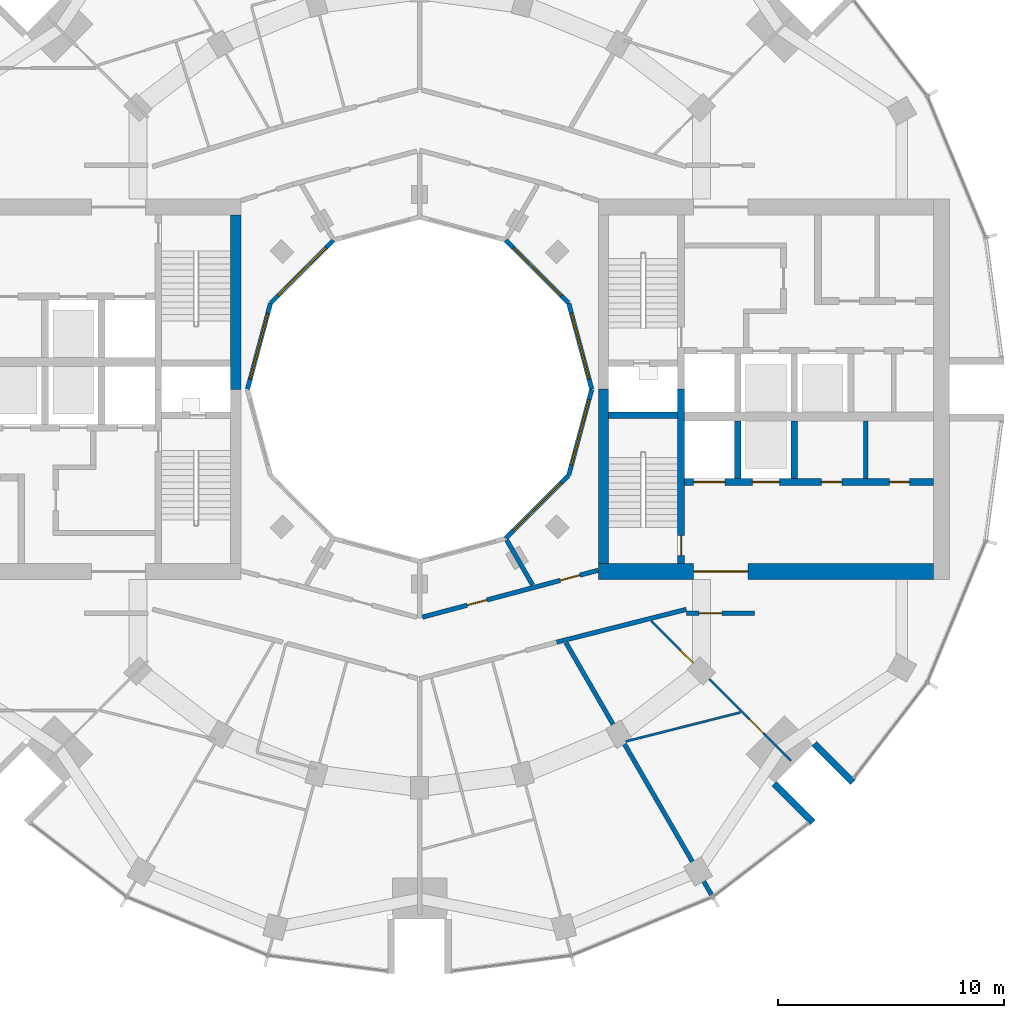
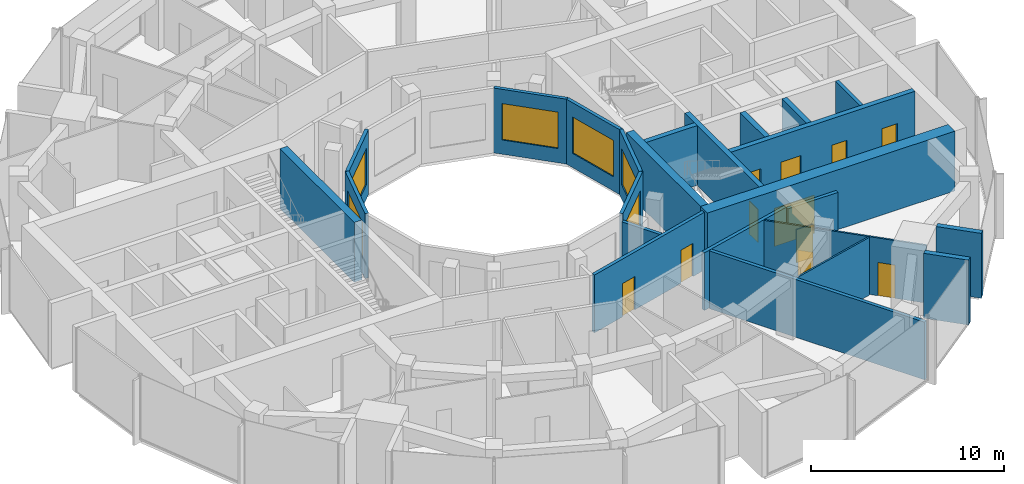
# One storey, part 10 of 15: 24 walls, 11 doors, 6 windows, 17 openings.
"""IFC4 building model written with IfcOpenShell, lengths in metres."""

from ifc_helpers import new_model, si_unit, direction, frame, frame_2d, origin, place, context, subcontext, project, spatial, rectangle, extrude, material, layer, layer_set, type_object, element, fill, save


model = new_model("IFC4")

# Units and contexts
model_context = context("Model", 3, precision=1e-05, world=origin(), true_north=direction((0.0, 1.0)))
body_context = subcontext(model_context, "Body", "Model", "MODEL_VIEW")
ifc_project = project(units=[si_unit("LENGTHUNIT", "METRE"), si_unit("AREAUNIT", "SQUARE_METRE"), si_unit("VOLUMEUNIT", "CUBIC_METRE"), si_unit("PLANEANGLEUNIT", "RADIAN"), si_unit("MASSUNIT", "GRAM", prefix="KILO")], contexts=[model_context])

# Site, building, storey
site_placement = place(None, origin())
site = spatial("IfcSite", under=ifc_project, at=site_placement, CompositionType="ELEMENT")
building_placement = place(site_placement, origin())
building = spatial("IfcBuilding", under=site, at=building_placement, Name="Torre Brocal", CompositionType="ELEMENT")
storey_placement = place(building_placement, frame((0.0, 0.0, 165.89990234375)))
storey = spatial("IfcBuildingStorey", under=building, at=storey_placement, Name="L38", CompositionType="ELEMENT", Elevation=165.89990234375)

# Wall
ifc_material_1 = material(Name="Masonry block", Category="masonry")
ifc_layer_1 = layer(ifc_material_1, 0.199951171875)
ifc_layer_set_1 = layer_set([ifc_layer_1], Name="Masonry block")
wall_type_1 = type_object("IfcWallType", Name="CORE PARTITION 200", PredefinedType="PARTITIONING", material=ifc_layer_set_1)
wall_1_placement = place(storey_placement, frame((99.699951171875, 71.050048828125, 0.0), z_axis=(0.0, 0.0, 1.0), x_axis=(0.0, 1.0, 0.0)))
element("IfcWall", 1, at=wall_1_placement, inside=storey, type_object=wall_type_1, Name="Wall CP200", PredefinedType="PARTITIONING", context=body_context, shape_type="SweptSolid", body=[
    extrude(rectangle(XDim=2.550048828125, YDim=0.199951171875, at=frame_2d((1.27490234375, 0.0))), origin(), (0.0, 0.0, 1.0), 3.780029296875),
])

# Wall, opening, door
ifc_material_2 = material(Name="Concrete C70", Category="concrete")
ifc_layer_2 = layer(ifc_material_2, 0.300048828125)
ifc_layer_set_2 = layer_set([ifc_layer_2], Name="Concrete C70")
wall_type_2 = type_object("IfcWallType", Name="CORE WALL 300 C70", PredefinedType="SHEAR", material=ifc_layer_set_2)
wall_2_placement = place(storey_placement, frame((91.550048828125, 67.300048828125, 0.0), z_axis=(0.0, 0.0, 1.0), x_axis=(0.0, 1.0, 0.0)))
wall_2 = element("IfcWall", 2, at=wall_2_placement, inside=storey, type_object=wall_type_2, Name="Wall CW300-70", PredefinedType="SHEAR", context=body_context, shape_type="SweptSolid", body=[
    extrude(rectangle(XDim=7.699951171875, YDim=0.300048828125, at=frame_2d((3.85009765625, 0.0))), origin(), (0.0, 0.0, 1.0), 3.780029296875),
])
opening_1_placement = place(wall_2_placement, frame((0.35009765625, 0.0, 0.0)))
opening_1 = element("IfcOpeningElement", 3, at=opening_1_placement, cuts=wall_2, Name="Opening E-D03", PredefinedType="OPENING", context=body_context, shape_type="SweptSolid", body=[
    extrude(rectangle(XDim=0.89990234375, YDim=2.10009765625, at=frame_2d((0.449951171875, 1.050048828125))), frame((0.0, 0.159912109375, 0.0), z_axis=(0.0, -1.0, 0.0), x_axis=(1.0, 0.0, 0.0)), (0.0, 0.0, 1.0), 0.320068359375),
])
ifc_material_3 = material(Name="Steel A653", Category="steel")
door_type_1 = type_object("IfcDoorType", Name="STAIR DOOR FD120 900X2100", OperationType="SINGLE_SWING_RIGHT", PredefinedType="DOOR", material=ifc_material_3)
door_1_placement = place(opening_1_placement, origin())
door_1 = element("IfcDoor", 4, at=door_1_placement, inside=storey, type_object=door_type_1, Name="Door E-D03", OperationType="SINGLE_SWING_LEFT", OverallHeight=2.10009765625, OverallWidth=0.89990234375, PredefinedType="DOOR", context=body_context, shape_type="SweptSolid", body=[
    extrude(rectangle(XDim=0.89990234375, YDim=2.10009765625, at=frame_2d((0.449951171875, 1.050048828125))), frame((0.0, 0.02490234375, 0.0), z_axis=(0.0, -1.0, 0.0), x_axis=(1.0, 0.0, 0.0)), (0.0, 0.0, 1.0), 0.050048828125),
])
fill(opening_1, door_1)

# Wall
wall_3_placement = place(storey_placement, frame((88.35009765625, 73.85009765625, 0.0), z_axis=(0.0, 0.0, 1.0), x_axis=(1.0, 0.0, 0.0)))
element("IfcWall", 5, at=wall_3_placement, inside=storey, type_object=wall_type_2, Name="Wall CW300-70", PredefinedType="SHEAR", context=body_context, shape_type="SweptSolid", body=[
    extrude(rectangle(XDim=3.0498046875, YDim=0.300048828125, at=frame_2d((1.52490234375, 0.0))), origin(), (0.0, 0.0, 1.0), 3.780029296875),
])

# Wall, openings, doors
wall_4_placement = place(storey_placement, frame((91.699951171875, 70.89990234375, 0.0), z_axis=(0.0, 0.0, 1.0), x_axis=(1.0, 0.0, 0.0)))
wall_4 = element("IfcWall", 6, at=wall_4_placement, inside=storey, type_object=wall_type_2, Name="Wall CW300-70", PredefinedType="SHEAR", context=body_context, shape_type="SweptSolid", body=[
    extrude(rectangle(XDim=11.0, YDim=0.300048828125, at=frame_2d((5.5, 0.0))), origin(), (0.0, 0.0, 1.0), 3.780029296875),
])
opening_2_placement = place(wall_4_placement, frame((0.39990234375, 0.0, 0.0)))
opening_2 = element("IfcOpeningElement", 7, at=opening_2_placement, cuts=wall_4, Name="Opening LD14", PredefinedType="OPENING", context=body_context, shape_type="SweptSolid", body=[
    extrude(rectangle(XDim=1.39990234375, YDim=2.10009765625, at=frame_2d((0.699951171875, 1.050048828125))), frame((0.0, 0.159912109375, 0.0), z_axis=(0.0, -1.0, 0.0), x_axis=(1.0, 0.0, 0.0)), (0.0, 0.0, 1.0), 0.320068359375),
])
opening_3_placement = place(wall_4_placement, frame((3.0, 0.0, 0.0)))
opening_3 = element("IfcOpeningElement", 8, at=opening_3_placement, cuts=wall_4, Name="Opening LD12", PredefinedType="OPENING", context=body_context, shape_type="SweptSolid", body=[
    extrude(rectangle(XDim=1.199951171875, YDim=2.10009765625, at=frame_2d((0.60009765625, 1.050048828125))), frame((0.0, 0.159912109375, 0.0), z_axis=(0.0, -1.0, 0.0), x_axis=(1.0, 0.0, 0.0)), (0.0, 0.0, 1.0), 0.320068359375),
])
opening_4_placement = place(wall_4_placement, frame((6.050048828125, 0.0, 0.0)))
opening_4 = element("IfcOpeningElement", 9, at=opening_4_placement, cuts=wall_4, Name="Opening E-D06", PredefinedType="OPENING", context=body_context, shape_type="SweptSolid", body=[
    extrude(rectangle(XDim=0.89990234375, YDim=2.10009765625, at=frame_2d((0.449951171875, 1.050048828125))), frame((0.0, 0.159912109375, 0.0), z_axis=(0.0, -1.0, 0.0), x_axis=(1.0, 0.0, 0.0)), (0.0, 0.0, 1.0), 0.320068359375),
])
opening_5_placement = place(wall_4_placement, frame((9.050048828125, 0.0, 0.0)))
opening_5 = element("IfcOpeningElement", 10, at=opening_5_placement, cuts=wall_4, Name="Opening E-D07", PredefinedType="OPENING", context=body_context, shape_type="SweptSolid", body=[
    extrude(rectangle(XDim=0.89990234375, YDim=2.10009765625, at=frame_2d((0.449951171875, 1.050048828125))), frame((0.0, 0.159912109375, 0.0), z_axis=(0.0, -1.0, 0.0), x_axis=(1.0, 0.0, 0.0)), (0.0, 0.0, 1.0), 0.320068359375),
])
ifc_material_4 = material(Name="Stainless steel AISI 316", Category="steel")
door_type_2 = type_object("IfcDoorType", Name="LIFT LANDING DOOR 1200X2100", OperationType="DOUBLE_DOOR_SLIDING", PredefinedType="DOOR", material=ifc_material_4)
door_2_placement = place(opening_3_placement, origin())
door_2 = element("IfcDoor", 11, at=door_2_placement, inside=storey, type_object=door_type_2, Name="Door LD12", OperationType="DOUBLE_DOOR_SLIDING", OverallHeight=2.10009765625, OverallWidth=1.199951171875, PredefinedType="DOOR", context=body_context, shape_type="SweptSolid", body=[
    extrude(rectangle(XDim=1.199951171875, YDim=2.10009765625, at=frame_2d((0.60009765625, 1.050048828125))), frame((0.0, 0.02490234375, 0.0), z_axis=(0.0, -1.0, 0.0), x_axis=(1.0, 0.0, 0.0)), (0.0, 0.0, 1.0), 0.050048828125),
])
fill(opening_3, door_2)
ifc_material_5 = material(Name="Stainless steel AISI 316", Category="steel")
door_type_3 = type_object("IfcDoorType", Name="LIFT LANDING DOOR 1400X2100", OperationType="DOUBLE_DOOR_SLIDING", PredefinedType="DOOR", material=ifc_material_5)
door_3_placement = place(opening_2_placement, origin())
door_3 = element("IfcDoor", 12, at=door_3_placement, inside=storey, type_object=door_type_3, Name="Door LD14", OperationType="DOUBLE_DOOR_SLIDING", OverallHeight=2.10009765625, OverallWidth=1.39990234375, PredefinedType="DOOR", context=body_context, shape_type="SweptSolid", body=[
    extrude(rectangle(XDim=1.39990234375, YDim=2.10009765625, at=frame_2d((0.699951171875, 1.050048828125))), frame((0.0, 0.02490234375, 0.0), z_axis=(0.0, -1.0, 0.0), x_axis=(1.0, 0.0, 0.0)), (0.0, 0.0, 1.0), 0.050048828125),
])
fill(opening_2, door_3)
ifc_material_6 = material(Name="Steel A653", Category="steel")
door_type_4 = type_object("IfcDoorType", Name="ROOM DOOR FD30S 900X2100", OperationType="SINGLE_SWING_LEFT", PredefinedType="DOOR", material=ifc_material_6)
door_4_placement = place(opening_4_placement, origin())
door_4 = element("IfcDoor", 13, at=door_4_placement, inside=storey, type_object=door_type_4, Name="Door E-D06", OperationType="SINGLE_SWING_RIGHT", OverallHeight=2.10009765625, OverallWidth=0.89990234375, PredefinedType="DOOR", context=body_context, shape_type="SweptSolid", body=[
    extrude(rectangle(XDim=0.89990234375, YDim=2.10009765625, at=frame_2d((0.449951171875, 1.050048828125))), frame((0.0, 0.02490234375, 0.0), z_axis=(0.0, -1.0, 0.0), x_axis=(1.0, 0.0, 0.0)), (0.0, 0.0, 1.0), 0.050048828125),
])
fill(opening_4, door_4)
door_5_placement = place(opening_5_placement, origin())
door_5 = element("IfcDoor", 14, at=door_5_placement, inside=storey, type_object=door_type_4, Name="Door E-D07", OperationType="SINGLE_SWING_LEFT", OverallHeight=2.10009765625, OverallWidth=0.89990234375, PredefinedType="DOOR", context=body_context, shape_type="SweptSolid", body=[
    extrude(rectangle(XDim=0.89990234375, YDim=2.10009765625, at=frame_2d((0.449951171875, 1.050048828125))), frame((0.0, 0.02490234375, 0.0), z_axis=(0.0, -1.0, 0.0), x_axis=(1.0, 0.0, 0.0)), (0.0, 0.0, 1.0), 0.050048828125),
])
fill(opening_5, door_5)

# Walls
for number, where, z_axis, x_axis, name in (
    (15, (94.050048828125, 71.050048828125, 0.0), (0.0, 0.0, 1.0), (0.0, 1.0, 0.0), "Wall CW300-70"),
    (16, (96.550048828125, 71.050048828125, 0.0), (0.0, 0.0, 1.0), (0.0, 1.0, 0.0), "Wall CW300-70"),
):
    element("IfcWall", number, at=place(storey_placement, frame(where, z_axis=z_axis, x_axis=x_axis)), inside=storey, type_object=wall_type_2, Name=name, PredefinedType="SHEAR", context=body_context, shape_type="SweptSolid", body=[
        extrude(rectangle(XDim=2.550048828125, YDim=0.300048828125, at=frame_2d((1.27490234375, 0.0))), origin(), (0.0, 0.0, 1.0), 3.780029296875),
    ])
ifc_material_7 = material(Name="Concrete C70", Category="concrete")
ifc_layer_3 = layer(ifc_material_7, 0.449951171875)
ifc_layer_set_3 = layer_set([ifc_layer_3], Name="Concrete C70")
wall_type_3 = type_object("IfcWallType", Name="CORE WALL 450 C70", PredefinedType="SHEAR", material=ifc_layer_set_3)
for number, where, z_axis, x_axis, name in (
    (17, (88.125, 67.300048828125, 0.0), (0.0, 0.0, 1.0), (0.0, 1.0, 0.0), "Wall CW450-70"),
    (18, (71.875, 82.699951171875, 0.0), (0.0, 0.0, 1.0), (0.0, -1.0, 0.0), "Wall CW450-70"),
):
    element("IfcWall", number, at=place(storey_placement, frame(where, z_axis=z_axis, x_axis=x_axis)), inside=storey, type_object=wall_type_3, Name=name, PredefinedType="SHEAR", context=body_context, shape_type="SweptSolid", body=[
        extrude(rectangle(XDim=7.699951171875, YDim=0.449951171875, at=frame_2d((3.85009765625, 0.0))), origin(), (0.0, 0.0, 1.0), 3.780029296875),
    ])

# Wall, opening, door
ifc_material_8 = material(Name="Concrete C70", Category="concrete")
ifc_layer_4 = layer(ifc_material_8, 0.699951171875)
ifc_layer_set_4 = layer_set([ifc_layer_4], Name="Concrete C70")
wall_type_4 = type_object("IfcWallType", Name="CORE WALL 700 C70", PredefinedType="SHEAR", material=ifc_layer_set_4)
wall_5_placement = place(storey_placement, frame((87.89990234375, 66.949951171875, 0.0), z_axis=(0.0, 0.0, 1.0), x_axis=(1.0, 0.0, 0.0)))
wall_5 = element("IfcWall", 19, at=wall_5_placement, inside=storey, type_object=wall_type_4, Name="Wall CW700-70", PredefinedType="SHEAR", context=body_context, shape_type="SweptSolid", body=[
    extrude(rectangle(XDim=14.800048828125, YDim=0.699951171875, at=frame_2d((7.39990234375, 0.0))), origin(), (0.0, 0.0, 1.0), 3.780029296875),
])
opening_6_placement = place(wall_5_placement, frame((4.199951171875, 0.0, 0.0)))
opening_6 = element("IfcOpeningElement", 20, at=opening_6_placement, cuts=wall_5, Name="Opening E-D12", PredefinedType="OPENING", context=body_context, shape_type="SweptSolid", body=[
    extrude(rectangle(XDim=2.39990234375, YDim=2.39990234375, at=frame_2d((1.199951171875, 1.199951171875))), frame((0.0, 0.35986328125, 0.0), z_axis=(0.0, -1.0, 0.0), x_axis=(1.0, 0.0, 0.0)), (0.0, 0.0, 1.0), 0.719970703125),
])
ifc_material_9 = material(Name="Steel A653", Category="steel")
door_type_5 = type_object("IfcDoorType", Name="DOUBLE FIRE DOOR FD90 2400X2400", OperationType="DOUBLE_DOOR_SINGLE_SWING", PredefinedType="DOOR", material=ifc_material_9)
door_6_placement = place(opening_6_placement, origin())
door_6 = element("IfcDoor", 21, at=door_6_placement, inside=storey, type_object=door_type_5, Name="Door E-D12", OperationType="DOUBLE_DOOR_SINGLE_SWING", OverallHeight=2.39990234375, OverallWidth=2.39990234375, PredefinedType="DOOR", context=body_context, shape_type="SweptSolid", body=[
    extrude(rectangle(XDim=2.39990234375, YDim=2.39990234375, at=frame_2d((1.199951171875, 1.199951171875))), frame((0.0, 0.02490234375, 0.0), z_axis=(0.0, -1.0, 0.0), x_axis=(1.0, 0.0, 0.0)), (0.0, 0.0, 1.0), 0.050048828125),
])
fill(opening_6, door_6)

# Walls
ifc_material_10 = material(Name="Concrete C70", Category="concrete")
ifc_layer_5 = layer(ifc_material_10, 0.300048828125)
ifc_layer_set_5 = layer_set([ifc_layer_5], Name="Concrete C70")
wall_type_5 = type_object("IfcWallType", Name="NOTCH RETURN WALL 300 C70", PredefinedType="NOTDEFINED", material=ifc_layer_set_5)
for number, where, z_axis, x_axis, name in (
    (22, (95.662353515625, 57.56982421875, 0.0), (0.0, 0.0, 1.0), (0.707106781187, -0.707106781187, 0.0), "NOTCH RETURN WALL"),
    (23, (97.43017578125, 59.337646484375, 0.0), (0.0, 0.0, 1.0), (0.707106781187, -0.707106781187, 0.0), "NOTCH RETURN WALL"),
):
    element("IfcWall", number, at=place(storey_placement, frame(where, z_axis=z_axis, x_axis=x_axis)), inside=storey, type_object=wall_type_5, Name=name, PredefinedType="NOTDEFINED", context=body_context, shape_type="SweptSolid", body=[
        extrude(rectangle(XDim=2.415771484375, YDim=0.300048828125, at=frame_2d((1.2080078125, 0.0))), origin(), (0.0, 0.0, 1.0), 4.10009765625),
    ])
ifc_material_11 = material(Name="Gypsum board", Category="Gypsum")
ifc_layer_6 = layer(ifc_material_11, 0.10009765625)
ifc_layer_set_6 = layer_set([ifc_layer_6], Name="Gypsum board")
wall_type_6 = type_object("IfcWallType", Name="PARTITION 100", PredefinedType="PARTITIONING", material=ifc_layer_set_6)
wall_6_placement = place(storey_placement, frame((89.105712890625, 59.44091796875, 0.0), z_axis=(0.0, 0.0, 1.0), x_axis=(0.969462385749, 0.245240051009, 0.0)))
element("IfcWall", 24, at=wall_6_placement, inside=storey, type_object=wall_type_6, Name="BATHROOM WALL", PredefinedType="PARTITIONING", context=body_context, shape_type="SweptSolid", body=[
    extrude(rectangle(XDim=5.223388671875, YDim=0.10009765625, at=frame_2d((2.61181640625, 0.0))), origin(), (0.0, 0.0, 1.0), 3.650146484375),
])

# Wall, openings, doors
wall_7_placement = place(storey_placement, frame((90.23583984375, 64.7578125, 0.0), z_axis=(0.0, 0.0, 1.0), x_axis=(0.706938769128, -0.707274753334, 0.0)))
wall_7 = element("IfcWall", 25, at=wall_7_placement, inside=storey, type_object=wall_type_6, Name="BATHROOM WALL", PredefinedType="PARTITIONING", context=body_context, shape_type="SweptSolid", body=[
    extrude(rectangle(XDim=8.7197265625, YDim=0.10009765625, at=frame_2d((4.35986328125, 0.0))), origin(), (0.0, 0.0, 1.0), 3.650146484375),
])
opening_7_placement = place(wall_7_placement, frame((6.114501953125, 0.0, 0.0)))
opening_7 = element("IfcOpeningElement", 26, at=opening_7_placement, cuts=wall_7, Name="Opening R01-D20", PredefinedType="OPENING", context=body_context, shape_type="SweptSolid", body=[
    extrude(rectangle(XDim=0.89990234375, YDim=2.10009765625, at=frame_2d((0.449951171875, 1.050048828125))), frame((0.0, 0.06005859375, 0.0), z_axis=(0.0, -1.0, 0.0), x_axis=(1.0, 0.0, 0.0)), (0.0, 0.0, 1.0), 0.1201171875),
])
opening_8_placement = place(wall_7_placement, frame((1.817138671875, 0.0, 0.0)))
opening_8 = element("IfcOpeningElement", 27, at=opening_8_placement, cuts=wall_7, Name="Opening R01-D21", PredefinedType="OPENING", context=body_context, shape_type="SweptSolid", body=[
    extrude(rectangle(XDim=0.800048828125, YDim=2.10009765625, at=frame_2d((0.39990234375, 1.050048828125))), frame((0.0, 0.06005859375, 0.0), z_axis=(0.0, -1.0, 0.0), x_axis=(1.0, 0.0, 0.0)), (0.0, 0.0, 1.0), 0.1201171875),
])
ifc_material_12 = material(Name="Timber", Category="wood")
door_type_6 = type_object("IfcDoorType", Name="BATHROOM DOOR 800X2100", OperationType="SINGLE_SWING_LEFT", PredefinedType="DOOR", material=ifc_material_12)
door_7_placement = place(opening_8_placement, frame((0.800048828125, 0.0, 0.0), z_axis=(0.0, 0.0, 1.0), x_axis=(-1.0, 0.0, 0.0)))
door_7 = element("IfcDoor", 28, at=door_7_placement, inside=storey, type_object=door_type_6, Name="R01-D21", OperationType="SINGLE_SWING_RIGHT", OverallHeight=2.10009765625, OverallWidth=0.800048828125, PredefinedType="DOOR", context=body_context, shape_type="SweptSolid", body=[
    extrude(rectangle(XDim=0.800048828125, YDim=2.10009765625, at=frame_2d((0.39990234375, 1.050048828125))), frame((0.0, 0.02490234375, 0.0), z_axis=(0.0, -1.0, 0.0), x_axis=(1.0, 0.0, 0.0)), (0.0, 0.0, 1.0), 0.050048828125),
])
fill(opening_8, door_7)
ifc_material_13 = material(Name="Timber", Category="wood")
door_type_7 = type_object("IfcDoorType", Name="ROOM DOOR 900X2100", OperationType="SINGLE_SWING_LEFT", PredefinedType="DOOR", material=ifc_material_13)
door_8_placement = place(opening_7_placement, origin())
door_8 = element("IfcDoor", 29, at=door_8_placement, inside=storey, type_object=door_type_7, Name="R01-D20", OperationType="SINGLE_SWING_LEFT", OverallHeight=2.10009765625, OverallWidth=0.89990234375, PredefinedType="DOOR", context=body_context, shape_type="SweptSolid", body=[
    extrude(rectangle(XDim=0.89990234375, YDim=2.10009765625, at=frame_2d((0.449951171875, 1.050048828125))), frame((0.0, 0.02490234375, 0.0), z_axis=(0.0, -1.0, 0.0), x_axis=(1.0, 0.0, 0.0)), (0.0, 0.0, 1.0), 0.050048828125),
])
fill(opening_7, door_8)

ifc_material_14 = material(Name="Gypsum board", Category="Gypsum")
ifc_layer_7 = layer(ifc_material_14, 0.199951171875)
ifc_layer_set_7 = layer_set([ifc_layer_7], Name="Gypsum board")
wall_type_7 = type_object("IfcWallType", Name="PARTITION 200 EI60", PredefinedType="PARTITIONING", material=ifc_layer_set_7)
wall_8_placement = place(storey_placement, frame((80.125, 64.931640625, 0.0), z_axis=(0.0, 0.0, 1.0), x_axis=(0.966236955806, 0.257655089674, 0.0)))
wall_8 = element("IfcWall", 30, at=wall_8_placement, inside=storey, type_object=wall_type_7, Name="CORRIDOR WALL", PredefinedType="PARTITIONING", context=body_context, shape_type="SweptSolid", body=[
    extrude(rectangle(XDim=8.0390625, YDim=0.199951171875, at=frame_2d((4.01953125, 0.0))), origin(), (0.0, 0.0, 1.0), 3.650146484375),
])
opening_9_placement = place(wall_8_placement, frame((6.298095703125, 0.0, 0.0)))
opening_9 = element("IfcOpeningElement", 31, at=opening_9_placement, cuts=wall_8, Name="Opening R01-D35", PredefinedType="OPENING", context=body_context, shape_type="SweptSolid", body=[
    extrude(rectangle(XDim=0.89990234375, YDim=2.10009765625, at=frame_2d((0.449951171875, 1.050048828125))), frame((0.0, 0.10986328125, 0.0), z_axis=(0.0, -1.0, 0.0), x_axis=(1.0, 0.0, 0.0)), (0.0, 0.0, 1.0), 0.219970703125),
])
opening_10_placement = place(wall_8_placement, frame((2.044921875, 0.0, 0.0)))
opening_10 = element("IfcOpeningElement", 32, at=opening_10_placement, cuts=wall_8, Name="Opening R01-D36", PredefinedType="OPENING", context=body_context, shape_type="SweptSolid", body=[
    extrude(rectangle(XDim=0.89990234375, YDim=2.10009765625, at=frame_2d((0.449951171875, 1.050048828125))), frame((0.0, 0.10986328125, 0.0), z_axis=(0.0, -1.0, 0.0), x_axis=(1.0, 0.0, 0.0)), (0.0, 0.0, 1.0), 0.219970703125),
])
door_9_placement = place(opening_9_placement, origin())
door_9 = element("IfcDoor", 33, at=door_9_placement, inside=storey, type_object=door_type_7, Name="R01-D35", OperationType="SINGLE_SWING_RIGHT", OverallHeight=2.10009765625, OverallWidth=0.89990234375, PredefinedType="DOOR", context=body_context, shape_type="SweptSolid", body=[
    extrude(rectangle(XDim=0.89990234375, YDim=2.10009765625, at=frame_2d((0.449951171875, 1.050048828125))), frame((0.0, 0.02490234375, 0.0), z_axis=(0.0, -1.0, 0.0), x_axis=(1.0, 0.0, 0.0)), (0.0, 0.0, 1.0), 0.050048828125),
])
fill(opening_9, door_9)
door_10_placement = place(opening_10_placement, origin())
door_10 = element("IfcDoor", 34, at=door_10_placement, inside=storey, type_object=door_type_7, Name="R01-D36", OperationType="SINGLE_SWING_RIGHT", OverallHeight=2.10009765625, OverallWidth=0.89990234375, PredefinedType="DOOR", context=body_context, shape_type="SweptSolid", body=[
    extrude(rectangle(XDim=0.89990234375, YDim=2.10009765625, at=frame_2d((0.449951171875, 1.050048828125))), frame((0.0, 0.02490234375, 0.0), z_axis=(0.0, -1.0, 0.0), x_axis=(1.0, 0.0, 0.0)), (0.0, 0.0, 1.0), 0.050048828125),
])
fill(opening_10, door_10)

# Walls
wall_9_placement = place(storey_placement, frame((83.849609375, 68.333251953125, 0.0), z_axis=(0.0, 0.0, 1.0), x_axis=(0.499953638813, -0.866052168773, 0.0)))
element("IfcWall", 35, at=wall_9_placement, inside=storey, type_object=wall_type_7, Name="SERVICE ROOM WALL", PredefinedType="PARTITIONING", context=body_context, shape_type="SweptSolid", body=[
    extrude(rectangle(XDim=2.285400390625, YDim=0.199951171875, at=frame_2d((1.142578125, 0.0))), origin(), (0.0, 0.0, 1.0), 3.650146484375),
])
wall_10_placement = place(storey_placement, frame((86.052978515625, 63.826171875, 0.0), z_axis=(0.0, 0.0, 1.0), x_axis=(0.969490004987, 0.245130843083, 0.0)))
element("IfcWall", 36, at=wall_10_placement, inside=storey, type_object=wall_type_7, Name="FLAT ENTRANCE WALL", PredefinedType="PARTITIONING", context=body_context, shape_type="SweptSolid", body=[
    extrude(rectangle(XDim=5.907958984375, YDim=0.199951171875, at=frame_2d((2.9541015625, 0.0))), origin(), (0.0, 0.0, 1.0), 3.650146484375),
])
wall_11_placement = place(storey_placement, frame((86.4658203125, 63.80126953125, 0.0), z_axis=(0.0, 0.0, 1.0), x_axis=(0.499951314491, -0.866053510551, 0.0)))
element("IfcWall", 37, at=wall_11_placement, inside=storey, type_object=wall_type_7, Name="BATHROOM WALL", PredefinedType="PARTITIONING", context=body_context, shape_type="SweptSolid", body=[
    extrude(rectangle(XDim=12.866455078125, YDim=0.199951171875, at=frame_2d((6.43310546875, 0.0))), origin(), (0.0, 0.0, 1.0), 3.650146484375),
])

# Wall, opening, door
wall_12_placement = place(storey_placement, frame((91.800048828125, 65.10009765625, 0.0), z_axis=(0.0, 0.0, 1.0), x_axis=(1.0, 0.0, 0.0)))
wall_12 = element("IfcWall", 38, at=wall_12_placement, inside=storey, type_object=wall_type_7, Name="FLAT ENTRANCE WALL", PredefinedType="PARTITIONING", context=body_context, shape_type="SweptSolid", body=[
    extrude(rectangle(XDim=3.0, YDim=0.199951171875, at=frame_2d((1.5, 0.0))), origin(), (0.0, 0.0, 1.0), 3.650146484375),
])
opening_11_placement = place(wall_12_placement, frame((0.550048828125, 0.0, 0.0)))
opening_11 = element("IfcOpeningElement", 39, at=opening_11_placement, cuts=wall_12, Name="Opening R01-D19", PredefinedType="OPENING", context=body_context, shape_type="SweptSolid", body=[
    extrude(rectangle(XDim=1.0, YDim=2.10009765625, at=frame_2d((0.5, 1.050048828125))), frame((0.0, 0.10986328125, 0.0), z_axis=(0.0, -1.0, 0.0), x_axis=(1.0, 0.0, 0.0)), (0.0, 0.0, 1.0), 0.219970703125),
])
ifc_material_15 = material(Name="Timber", Category="wood")
door_type_8 = type_object("IfcDoorType", Name="FLAT ENTRY DOOR FD30S 1000X2100", OperationType="SINGLE_SWING_RIGHT", PredefinedType="DOOR", material=ifc_material_15)
door_11_placement = place(opening_11_placement, frame((1.0, 0.0, 0.0), z_axis=(0.0, 0.0, 1.0), x_axis=(-1.0, 0.0, 0.0)))
door_11 = element("IfcDoor", 40, at=door_11_placement, inside=storey, type_object=door_type_8, Name="R01-D19", OperationType="SINGLE_SWING_RIGHT", OverallHeight=2.10009765625, OverallWidth=1.0, PredefinedType="DOOR", context=body_context, shape_type="SweptSolid", body=[
    extrude(rectangle(XDim=1.0, YDim=2.10009765625, at=frame_2d((0.5, 1.050048828125))), frame((0.0, 0.02490234375, 0.0), z_axis=(0.0, -1.0, 0.0), x_axis=(1.0, 0.0, 0.0)), (0.0, 0.0, 1.0), 0.050048828125),
])
fill(opening_11, door_11)

# Wall, opening, window
ifc_material_16 = material(Name="Concrete C40", Category="concrete")
ifc_layer_8 = layer(ifc_material_16, 0.199951171875)
ifc_layer_set_8 = layer_set([ifc_layer_8], Name="Concrete C40")
wall_type_8 = type_object("IfcWallType", Name="WELL FACADE WALL 200", PredefinedType="NOTDEFINED", material=ifc_layer_set_8)
wall_13_placement = place(storey_placement, frame((87.603515625, 75.0, 0.0), z_axis=(0.0, 0.0, 1.0), x_axis=(-0.258789828301, 0.965933654434, 0.0)))
wall_13 = element("IfcWall", 41, at=wall_13_placement, inside=storey, type_object=wall_type_8, Name="WELL FACADE WALL", PredefinedType="NOTDEFINED", context=body_context, shape_type="SweptSolid", body=[
    extrude(rectangle(XDim=3.935791015625, YDim=0.199951171875, at=frame_2d((1.9677734375, 0.0))), origin(), (0.0, 0.0, 1.0), 4.10009765625),
])
opening_12_placement = place(wall_13_placement, frame((0.468017578125, 0.0, 0.89990234375)))
opening_12 = element("IfcOpeningElement", 42, at=opening_12_placement, cuts=wall_13, Name="Opening W1", PredefinedType="OPENING", context=body_context, shape_type="SweptSolid", body=[
    extrude(rectangle(XDim=3.0, YDim=2.300048828125, at=frame_2d((1.5, 1.14990234375))), frame((0.0, 0.10986328125, 0.0), z_axis=(0.0, -1.0, 0.0), x_axis=(1.0, 0.0, 0.0)), (0.0, 0.0, 1.0), 0.219970703125),
])
ifc_material_17 = material(Name="Aluminium and glass", Category="aluminium")
window_type = type_object("IfcWindowType", Name="WELL WINDOW 3000X2300", PartitioningType="SINGLE_PANEL", PredefinedType="WINDOW", material=ifc_material_17)
window_1_placement = place(opening_12_placement, origin())
window_1 = element("IfcWindow", 43, at=window_1_placement, inside=storey, type_object=window_type, Name="WELL WINDOW 3000X2300", OverallHeight=2.300048828125, OverallWidth=3.0, PartitioningType="SINGLE_PANEL", PredefinedType="WINDOW", context=body_context, shape_type="SweptSolid", body=[
    extrude(rectangle(XDim=3.0, YDim=2.300048828125, at=frame_2d((1.5, 1.14990234375))), frame((0.0, 0.030029296875, 0.0), z_axis=(0.0, -1.0, 0.0), x_axis=(1.0, 0.0, 0.0)), (0.0, 0.0, 1.0), 0.06005859375),
])
fill(opening_12, window_1)

wall_14_placement = place(storey_placement, frame((86.5849609375, 78.8017578125, 0.0), z_axis=(0.0, 0.0, 1.0), x_axis=(-0.707106781187, 0.707106781187, 0.0)))
wall_14 = element("IfcWall", 44, at=wall_14_placement, inside=storey, type_object=wall_type_8, Name="WELL FACADE WALL", PredefinedType="NOTDEFINED", context=body_context, shape_type="SweptSolid", body=[
    extrude(rectangle(XDim=3.93603515625, YDim=0.199951171875, at=frame_2d((1.968017578125, 0.0))), origin(), (0.0, 0.0, 1.0), 4.10009765625),
])
opening_13_placement = place(wall_14_placement, frame((0.468017578125, 0.0, 0.89990234375)))
opening_13 = element("IfcOpeningElement", 45, at=opening_13_placement, cuts=wall_14, Name="Opening W1", PredefinedType="OPENING", context=body_context, shape_type="SweptSolid", body=[
    extrude(rectangle(XDim=3.0, YDim=2.300048828125, at=frame_2d((1.5, 1.14990234375))), frame((0.0, 0.10986328125, 0.0), z_axis=(0.0, -1.0, 0.0), x_axis=(1.0, 0.0, 0.0)), (0.0, 0.0, 1.0), 0.219970703125),
])
window_2_placement = place(opening_13_placement, origin())
window_2 = element("IfcWindow", 46, at=window_2_placement, inside=storey, type_object=window_type, Name="WELL WINDOW 3000X2300", OverallHeight=2.300048828125, OverallWidth=3.0, PartitioningType="SINGLE_PANEL", PredefinedType="WINDOW", context=body_context, shape_type="SweptSolid", body=[
    extrude(rectangle(XDim=3.0, YDim=2.300048828125, at=frame_2d((1.5, 1.14990234375))), frame((0.0, 0.030029296875, 0.0), z_axis=(0.0, -1.0, 0.0), x_axis=(1.0, 0.0, 0.0)), (0.0, 0.0, 1.0), 0.06005859375),
])
fill(opening_13, window_2)

wall_15_placement = place(storey_placement, frame((76.1982421875, 81.5849609375, 0.0), z_axis=(0.0, 0.0, 1.0), x_axis=(-0.707106781187, -0.707106781187, 0.0)))
wall_15 = element("IfcWall", 47, at=wall_15_placement, inside=storey, type_object=wall_type_8, Name="WELL FACADE WALL", PredefinedType="NOTDEFINED", context=body_context, shape_type="SweptSolid", body=[
    extrude(rectangle(XDim=3.93603515625, YDim=0.199951171875, at=frame_2d((1.968017578125, 0.0))), origin(), (0.0, 0.0, 1.0), 4.10009765625),
])
opening_14_placement = place(wall_15_placement, frame((0.468017578125, 0.0, 0.89990234375)))
opening_14 = element("IfcOpeningElement", 48, at=opening_14_placement, cuts=wall_15, Name="Opening W1", PredefinedType="OPENING", context=body_context, shape_type="SweptSolid", body=[
    extrude(rectangle(XDim=3.0, YDim=2.300048828125, at=frame_2d((1.5, 1.14990234375))), frame((0.0, 0.10986328125, 0.0), z_axis=(0.0, -1.0, 0.0), x_axis=(1.0, 0.0, 0.0)), (0.0, 0.0, 1.0), 0.219970703125),
])
window_3_placement = place(opening_14_placement, origin())
window_3 = element("IfcWindow", 49, at=window_3_placement, inside=storey, type_object=window_type, Name="WELL WINDOW 3000X2300", OverallHeight=2.300048828125, OverallWidth=3.0, PartitioningType="SINGLE_PANEL", PredefinedType="WINDOW", context=body_context, shape_type="SweptSolid", body=[
    extrude(rectangle(XDim=3.0, YDim=2.300048828125, at=frame_2d((1.5, 1.14990234375))), frame((0.0, 0.030029296875, 0.0), z_axis=(0.0, -1.0, 0.0), x_axis=(1.0, 0.0, 0.0)), (0.0, 0.0, 1.0), 0.06005859375),
])
fill(opening_14, window_3)

wall_16_placement = place(storey_placement, frame((73.4150390625, 78.8017578125, 0.0), z_axis=(0.0, 0.0, 1.0), x_axis=(-0.258789828301, -0.965933654434, 0.0)))
wall_16 = element("IfcWall", 50, at=wall_16_placement, inside=storey, type_object=wall_type_8, Name="WELL FACADE WALL", PredefinedType="NOTDEFINED", context=body_context, shape_type="SweptSolid", body=[
    extrude(rectangle(XDim=3.935791015625, YDim=0.199951171875, at=frame_2d((1.9677734375, 0.0))), origin(), (0.0, 0.0, 1.0), 4.10009765625),
])
opening_15_placement = place(wall_16_placement, frame((0.468017578125, 0.0, 0.89990234375)))
opening_15 = element("IfcOpeningElement", 51, at=opening_15_placement, cuts=wall_16, Name="Opening W1", PredefinedType="OPENING", context=body_context, shape_type="SweptSolid", body=[
    extrude(rectangle(XDim=3.0, YDim=2.300048828125, at=frame_2d((1.5, 1.14990234375))), frame((0.0, 0.10986328125, 0.0), z_axis=(0.0, -1.0, 0.0), x_axis=(1.0, 0.0, 0.0)), (0.0, 0.0, 1.0), 0.219970703125),
])
window_4_placement = place(opening_15_placement, origin())
window_4 = element("IfcWindow", 52, at=window_4_placement, inside=storey, type_object=window_type, Name="WELL WINDOW 3000X2300", OverallHeight=2.300048828125, OverallWidth=3.0, PartitioningType="SINGLE_PANEL", PredefinedType="WINDOW", context=body_context, shape_type="SweptSolid", body=[
    extrude(rectangle(XDim=3.0, YDim=2.300048828125, at=frame_2d((1.5, 1.14990234375))), frame((0.0, 0.030029296875, 0.0), z_axis=(0.0, -1.0, 0.0), x_axis=(1.0, 0.0, 0.0)), (0.0, 0.0, 1.0), 0.06005859375),
])
fill(opening_15, window_4)

wall_17_placement = place(storey_placement, frame((83.8017578125, 68.4150390625, 0.0), z_axis=(0.0, 0.0, 1.0), x_axis=(0.707106781187, 0.707106781187, 0.0)))
wall_17 = element("IfcWall", 53, at=wall_17_placement, inside=storey, type_object=wall_type_8, Name="WELL FACADE WALL", PredefinedType="NOTDEFINED", context=body_context, shape_type="SweptSolid", body=[
    extrude(rectangle(XDim=3.93603515625, YDim=0.199951171875, at=frame_2d((1.968017578125, 0.0))), origin(), (0.0, 0.0, 1.0), 4.10009765625),
])
opening_16_placement = place(wall_17_placement, frame((0.468017578125, 0.0, 0.89990234375)))
opening_16 = element("IfcOpeningElement", 54, at=opening_16_placement, cuts=wall_17, Name="Opening W1", PredefinedType="OPENING", context=body_context, shape_type="SweptSolid", body=[
    extrude(rectangle(XDim=3.0, YDim=2.300048828125, at=frame_2d((1.5, 1.14990234375))), frame((0.0, 0.10986328125, 0.0), z_axis=(0.0, -1.0, 0.0), x_axis=(1.0, 0.0, 0.0)), (0.0, 0.0, 1.0), 0.219970703125),
])
window_5_placement = place(opening_16_placement, origin())
window_5 = element("IfcWindow", 55, at=window_5_placement, inside=storey, type_object=window_type, Name="WELL WINDOW 3000X2300", OverallHeight=2.300048828125, OverallWidth=3.0, PartitioningType="SINGLE_PANEL", PredefinedType="WINDOW", context=body_context, shape_type="SweptSolid", body=[
    extrude(rectangle(XDim=3.0, YDim=2.300048828125, at=frame_2d((1.5, 1.14990234375))), frame((0.0, 0.030029296875, 0.0), z_axis=(0.0, -1.0, 0.0), x_axis=(1.0, 0.0, 0.0)), (0.0, 0.0, 1.0), 0.06005859375),
])
fill(opening_16, window_5)

wall_18_placement = place(storey_placement, frame((86.5849609375, 71.1982421875, 0.0), z_axis=(0.0, 0.0, 1.0), x_axis=(0.258789828301, 0.965933654434, 0.0)))
wall_18 = element("IfcWall", 56, at=wall_18_placement, inside=storey, type_object=wall_type_8, Name="WELL FACADE WALL", PredefinedType="NOTDEFINED", context=body_context, shape_type="SweptSolid", body=[
    extrude(rectangle(XDim=3.935791015625, YDim=0.199951171875, at=frame_2d((1.9677734375, 0.0))), origin(), (0.0, 0.0, 1.0), 4.10009765625),
])
opening_17_placement = place(wall_18_placement, frame((0.468017578125, 0.0, 0.89990234375)))
opening_17 = element("IfcOpeningElement", 57, at=opening_17_placement, cuts=wall_18, Name="Opening W1", PredefinedType="OPENING", context=body_context, shape_type="SweptSolid", body=[
    extrude(rectangle(XDim=3.0, YDim=2.300048828125, at=frame_2d((1.5, 1.14990234375))), frame((0.0, 0.10986328125, 0.0), z_axis=(0.0, -1.0, 0.0), x_axis=(1.0, 0.0, 0.0)), (0.0, 0.0, 1.0), 0.219970703125),
])
window_6_placement = place(opening_17_placement, origin())
window_6 = element("IfcWindow", 58, at=window_6_placement, inside=storey, type_object=window_type, Name="WELL WINDOW 3000X2300", OverallHeight=2.300048828125, OverallWidth=3.0, PartitioningType="SINGLE_PANEL", PredefinedType="WINDOW", context=body_context, shape_type="SweptSolid", body=[
    extrude(rectangle(XDim=3.0, YDim=2.300048828125, at=frame_2d((1.5, 1.14990234375))), frame((0.0, 0.030029296875, 0.0), z_axis=(0.0, -1.0, 0.0), x_axis=(1.0, 0.0, 0.0)), (0.0, 0.0, 1.0), 0.06005859375),
])
fill(opening_17, window_6)

save(model, "model.ifc")
